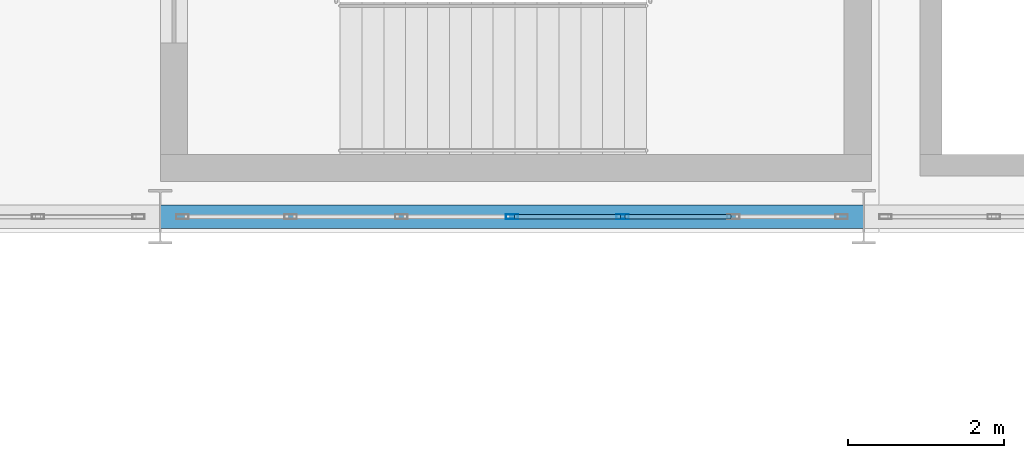
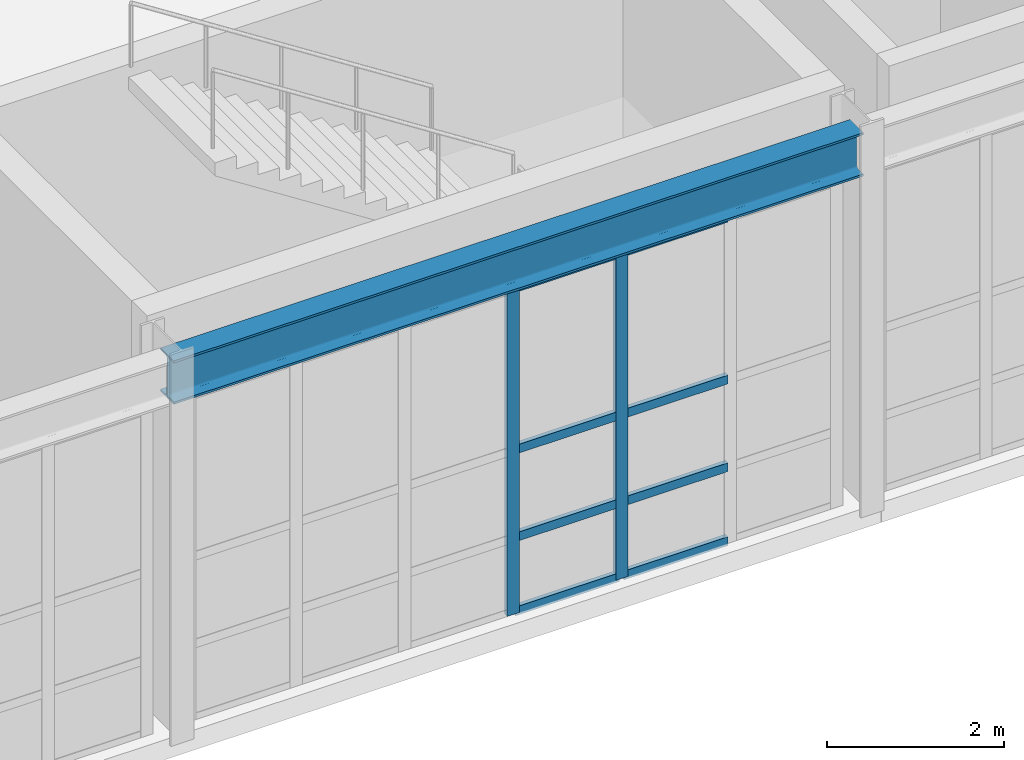
# One storey, part 56 of 210: 10 members, 1 beam, 1 element without a shape of its own.
"""IFC4 building model written with IfcOpenShell, lengths in metres."""

import ifcopenshell
import ifcopenshell.guid

model = None  # the IFC model being written
_history = None  # IfcOwnerHistory: only IFC2X3 demands one
_inside = {}  # id of a spatial element -> (the spatial element, [elements in it])
_under = {}  # id of a project, library or spatial element -> (it, [spatial elements below it])
_declared = {}  # id of a project -> (the project, [libraries it declares])
_typed = {}  # id of a type object -> (the type object, [elements of that type])
_made_of = {}  # id of a material, layer set ... -> (it, [elements and type objects made of it])


def new_model(schema):
    """Start an empty IFC model of exactly this schema.

    Asked for "IFC4X3", IfcOpenShell would pick the latest addendum, in which some entities
    have other attributes; the version numbers below select the first issue.
    IFC2X3 requires an IfcOwnerHistory on every rooted entity: one is made here for all.
    """
    global model, _history
    if schema == "IFC4X3":
        model = ifcopenshell.file(schema_version=(4, 3, 0, 0))
    else:
        model = ifcopenshell.file(schema=schema)
    _inside.clear()
    _under.clear()
    _declared.clear()
    _typed.clear()
    _made_of.clear()
    _history = None
    if model.schema == "IFC2X3":
        org = make("IfcOrganization", Name="unknown")
        user = make(
            "IfcPersonAndOrganization",
            ThePerson=make("IfcPerson", FamilyName="unknown"),
            TheOrganization=org,
        )
        app = make(
            "IfcApplication",
            ApplicationDeveloper=org,
            Version="unknown",
            ApplicationFullName="unknown",
            ApplicationIdentifier="unknown",
        )
        _history = make(
            "IfcOwnerHistory",
            OwningUser=user,
            OwningApplication=app,
            ChangeAction="ADDED",
            CreationDate=0,
        )
    return model


def make(cls, **values):
    """One entity of the class cls with the attributes given. An attribute that is None is left unset."""
    return model.create_entity(
        cls, **{name: value for name, value in values.items() if value is not None}
    )


def rooted(cls, **values):
    """An entity with a GlobalId (a new one), such as an element, a storey or a relation."""
    return make(cls, GlobalId=ifcopenshell.guid.new(), OwnerHistory=_history, **values)


def si_unit(unit_type, name, prefix=None):
    """IfcSIUnit, for example si_unit("LENGTHUNIT", "METRE", prefix="MILLI")."""
    return make("IfcSIUnit", UnitType=unit_type, Prefix=prefix, Name=name)


def assignment(units):
    """IfcUnitAssignment: the units of a project."""
    return None if units is None else make("IfcUnitAssignment", Units=units)


def point(xyz):
    """IfcCartesianPoint."""
    return None if xyz is None else make("IfcCartesianPoint", Coordinates=xyz)


def direction(xyz):
    """IfcDirection."""
    return None if xyz is None else make("IfcDirection", DirectionRatios=xyz)


def frame(location, z_axis=None, x_axis=None):
    """IfcAxis2Placement3D, a coordinate frame: its origin and axes. An axis left out is left unset."""
    return make(
        "IfcAxis2Placement3D",
        Location=point(location),
        Axis=direction(z_axis),
        RefDirection=direction(x_axis),
    )


def frame_2d(location, x_axis=None):
    """IfcAxis2Placement2D, a coordinate frame in the plane: its origin and x axis."""
    return make(
        "IfcAxis2Placement2D", Location=point(location), RefDirection=direction(x_axis)
    )


def origin():
    """The frame at (0, 0, 0) with its axes left unset."""
    return frame((0.0, 0.0, 0.0))


def origin_2d():
    """The frame at (0, 0) in the plane with its x axis left unset."""
    return frame_2d((0.0, 0.0))


def place(relative_to, where):
    """IfcLocalPlacement: puts the frame where relative to a parent placement (None: the world)."""
    return make(
        "IfcLocalPlacement", PlacementRelTo=relative_to, RelativePlacement=where
    )


def context(
    kind, dimensions, precision=None, world=None, true_north=None, identifier=None
):
    """IfcGeometricRepresentationContext, for example the 3D "Model" context."""
    return make(
        "IfcGeometricRepresentationContext",
        ContextIdentifier=identifier,
        ContextType=kind,
        CoordinateSpaceDimension=dimensions,
        Precision=precision,
        WorldCoordinateSystem=world,
        TrueNorth=true_north,
    )


def subcontext(parent, identifier, kind, view, scale=None):
    """IfcGeometricRepresentationSubContext, for example "Body" below "Model"."""
    return make(
        "IfcGeometricRepresentationSubContext",
        ContextIdentifier=identifier,
        ContextType=kind,
        ParentContext=parent,
        TargetScale=scale,
        TargetView=view,
    )


def project(units=None, contexts=None):
    """IfcProject with its units and contexts."""
    return rooted(
        "IfcProject",
        Name="project",
        RepresentationContexts=contexts,
        UnitsInContext=assignment(units),
    )


def spatial(cls, under=None, at=None, **own):
    """A site, building, storey or space (cls), placed at a placement, below another one or the project."""
    s = rooted(cls, ObjectPlacement=at, **own)
    if under is not None:
        _under.setdefault(under.id(), (under, []))[1].append(s)
    return s


def profile(cls, at=None, kind="AREA", **sizes):
    """A parametric profile (cls). Its sizes go by their IFC names, for example OverallWidth=200.0."""
    return make(cls, ProfileType=kind, Position=at, **sizes)


def hollow_rectangle(**sizes):
    """IfcRectangleHollowProfileDef."""
    return profile("IfcRectangleHollowProfileDef", **sizes)


def i_section(**sizes):
    """IfcIShapeProfileDef."""
    return profile("IfcIShapeProfileDef", **sizes)


def extrude(swept, where, along, depth):
    """IfcExtrudedAreaSolid: the profile swept, set in the frame where, extruded along a direction by depth."""
    return make(
        "IfcExtrudedAreaSolid",
        SweptArea=swept,
        Position=where,
        ExtrudedDirection=direction(along),
        Depth=depth,
    )


def shape(context_of_items, identifier, shape_type, items):
    """IfcShapeRepresentation: the items that make up one representation, for example the "Body"."""
    return make(
        "IfcShapeRepresentation",
        ContextOfItems=context_of_items,
        RepresentationIdentifier=identifier,
        RepresentationType=shape_type,
        Items=items,
    )


def material(Name=None, Category=None):
    """IfcMaterial."""
    return make("IfcMaterial", Name=Name, Category=Category)


def material_profile(
    of_material, cross_section, Name=None, Category=None, Priority=None
):
    """IfcMaterialProfile: a cross section and its material."""
    return make(
        "IfcMaterialProfile",
        Name=Name,
        Material=of_material,
        Profile=cross_section,
        Priority=Priority,
        Category=Category,
    )


def profile_set(profiles, Name=None, composite=None):
    """IfcMaterialProfileSet."""
    return make(
        "IfcMaterialProfileSet",
        Name=Name,
        MaterialProfiles=profiles,
        CompositeProfile=composite,
    )


def made_of(thing, what):
    """Note that an element or type object is made of a material, layer set ...; save() writes the relation."""
    if what is not None:
        _made_of.setdefault(what.id(), (what, []))[1].append(thing)
    return thing


def type_object(cls, material=None, **own):
    """A type object (cls), such as IfcWallType, which elements share."""
    return made_of(rooted(cls, **own), material)


def element(
    cls,
    number,
    at=None,
    inside=None,
    cuts=None,
    type_object=None,
    material=None,
    context=None,
    identifier="Body",
    shape_type=None,
    held_by="IfcProductDefinitionShape",
    body=None,
    shapes=None,
    **own,
):
    """One element of the class cls, such as IfcWall. Its Tag is "e" and its number.

    at: its placement. inside: the storey or other place that contains it. cuts: it is an
    opening in that element (IfcRelVoidsElement). A single representation is given by context,
    identifier, shape_type and body (its items); several are given by shapes. held_by: the class
    of the entity that holds the representations. save() writes the other relations.
    """
    e = rooted(cls, Tag="e%d" % number, ObjectPlacement=at, **own)
    if body is not None:
        shapes = [shape(context, identifier, shape_type, body)]
    if shapes is not None:
        e.Representation = make(held_by, Representations=shapes)
    if inside is not None:
        _inside.setdefault(inside.id(), (inside, []))[1].append(e)
    if cuts is not None:
        rooted(
            "IfcRelVoidsElement", RelatingBuildingElement=cuts, RelatedOpeningElement=e
        )
    if type_object is not None:
        _typed.setdefault(type_object.id(), (type_object, []))[1].append(e)
    return made_of(e, material)


def aggregate(whole, parts):
    """IfcRelAggregates: a whole, such as a stair, and the parts it consists of."""
    return rooted("IfcRelAggregates", RelatingObject=whole, RelatedObjects=parts)


def save(model, path):
    """Write the relations noted so far, then the file.

    IfcRelAggregates (storeys below a building ...), IfcRelContainedInSpatialStructure (elements
    in a storey), IfcRelDefinesByType, IfcRelAssociatesMaterial and IfcRelDeclares: one each for
    every whole, place, type object, material and project.
    """
    for whole, parts in _under.values():
        aggregate(whole, parts)
    for where, things in _inside.values():
        rooted(
            "IfcRelContainedInSpatialStructure",
            RelatedElements=things,
            RelatingStructure=where,
        )
    for kind, things in _typed.values():
        rooted("IfcRelDefinesByType", RelatedObjects=things, RelatingType=kind)
    for what, things in _made_of.values():
        rooted("IfcRelAssociatesMaterial", RelatedObjects=things, RelatingMaterial=what)
    for by, libraries in _declared.values():
        rooted("IfcRelDeclares", RelatingContext=by, RelatedDefinitions=libraries)
    model.write(path)


model = new_model("IFC4")

# Units and contexts
model_context = context("Model", 3, precision=1e-05, world=origin(), true_north=direction((0.0, 1.0)))
body_context = subcontext(model_context, "Body", "Model", "MODEL_VIEW")
ifc_project = project(units=[si_unit("LENGTHUNIT", "METRE"), si_unit("AREAUNIT", "SQUARE_METRE"), si_unit("VOLUMEUNIT", "CUBIC_METRE"), si_unit("PLANEANGLEUNIT", "RADIAN"), si_unit("MASSUNIT", "GRAM", prefix="KILO")], contexts=[model_context])

# Site, building, storey
site_placement = place(None, origin())
site = spatial("IfcSite", under=ifc_project, at=site_placement, CompositionType="ELEMENT")
building_placement = place(site_placement, origin())
building = spatial("IfcBuilding", under=site, at=building_placement, Name="Kaldris Quays Convention Centre", CompositionType="ELEMENT")
storey_placement = place(building_placement, frame((0.0, 0.0, 6.0)))
storey = spatial("IfcBuildingStorey", under=building, at=storey_placement, Name="L01", CompositionType="ELEMENT", Elevation=6.0)

# Curtain wall, members
ifc_material_1 = material(Name="Anodized aluminium AW-6060 and triple glazing", Category="aluminium")
curtain_wall_type = type_object("IfcCurtainWallType", Name="UNITISED CURTAIN WALL CW04", PredefinedType="NOTDEFINED", material=ifc_material_1)
curtain_wall_placement = place(storey_placement, origin())
curtain_wall = element("IfcCurtainWall", 1, at=curtain_wall_placement, inside=storey, type_object=curtain_wall_type, Name="L01 Unitised Curtain Wall CW04 108", PredefinedType="NOTDEFINED")
ifc_material_2 = material(Name="Anodized aluminium AW-6060", Category="aluminium")
ifc_material_profile_1 = material_profile(ifc_material_2, hollow_rectangle(XDim=0.06005859375, YDim=0.159912109375, WallThickness=0.00390625, at=origin_2d()), Name="RHS 160x60x4")
ifc_profile_set_1 = profile_set([ifc_material_profile_1], Name="Anodized aluminium AW-6060")
member_type_1 = type_object("IfcMemberType", Name="CURTAIN MULLION CWM1", PredefinedType="MULLION", material=ifc_profile_set_1)
member_1_placement = place(storey_placement, frame((96.5, 38.0, 0.0), z_axis=(0.0, 0.0, 1.0), x_axis=(0.0, 1.0, 0.0)))
member_1 = element("IfcMember", 2, at=member_1_placement, type_object=member_type_1, Name="CW04 mullion 4", PredefinedType="MULLION", context=body_context, shape_type="SweptSolid", body=[
    extrude(hollow_rectangle(XDim=0.06005859375, YDim=0.159912109375, WallThickness=0.00390625, at=origin_2d()), origin(), (0.0, 0.0, 1.0), 4.51806640625),
])
member_2_placement = place(storey_placement, frame((97.916748046875, 38.0, 0.0), z_axis=(0.0, 0.0, 1.0), x_axis=(0.0, 1.0, 0.0)))
member_2 = element("IfcMember", 3, at=member_2_placement, type_object=member_type_1, Name="CW04 mullion 5", PredefinedType="MULLION", context=body_context, shape_type="SweptSolid", body=[
    extrude(hollow_rectangle(XDim=0.06005859375, YDim=0.159912109375, WallThickness=0.00390625, at=origin_2d()), origin(), (0.0, 0.0, 1.0), 4.51806640625),
])
ifc_material_profile_2 = material_profile(ifc_material_2, hollow_rectangle(XDim=0.06005859375, YDim=0.1201171875, WallThickness=0.00390625, at=origin_2d()), Name="RHS 120x60x4")
ifc_profile_set_2 = profile_set([ifc_material_profile_2], Name="Anodized aluminium AW-6060")
member_type_2 = type_object("IfcMemberType", Name="CURTAIN TRANSOM CWT1", PredefinedType="USERDEFINED", material=ifc_profile_set_2)
member_3_placement = place(storey_placement, frame((96.530029296875, 38.0, 0.030029296875), z_axis=(1.0, 0.0, 0.0), x_axis=(0.0, 1.0, 0.0)))
member_3 = element("IfcMember", 4, at=member_3_placement, type_object=member_type_2, Name="CW04 transom 4.1", ObjectType="TRANSOM", PredefinedType="USERDEFINED", context=body_context, shape_type="SweptSolid", body=[
    extrude(hollow_rectangle(XDim=0.06005859375, YDim=0.1201171875, WallThickness=0.00390625, at=origin_2d()), origin(), (0.0, 0.0, 1.0), 1.356689453125),
])
member_4_placement = place(storey_placement, frame((96.530029296875, 38.0, 1.050048828125), z_axis=(1.0, 0.0, 0.0), x_axis=(0.0, 1.0, 0.0)))
member_4 = element("IfcMember", 5, at=member_4_placement, type_object=member_type_2, Name="CW04 transom 4.2", ObjectType="TRANSOM", PredefinedType="USERDEFINED", context=body_context, shape_type="SweptSolid", body=[
    extrude(hollow_rectangle(XDim=0.06005859375, YDim=0.1201171875, WallThickness=0.00390625, at=origin_2d()), origin(), (0.0, 0.0, 1.0), 1.356689453125),
])
member_5_placement = place(storey_placement, frame((96.530029296875, 38.0, 2.259033203125), z_axis=(1.0, 0.0, 0.0), x_axis=(0.0, 1.0, 0.0)))
member_5 = element("IfcMember", 6, at=member_5_placement, type_object=member_type_2, Name="CW04 transom 4.3", ObjectType="TRANSOM", PredefinedType="USERDEFINED", context=body_context, shape_type="SweptSolid", body=[
    extrude(hollow_rectangle(XDim=0.06005859375, YDim=0.1201171875, WallThickness=0.00390625, at=origin_2d()), origin(), (0.0, 0.0, 1.0), 1.356689453125),
])
member_6_placement = place(storey_placement, frame((96.530029296875, 38.0, 4.488037109375), z_axis=(1.0, 0.0, 0.0), x_axis=(0.0, 1.0, 0.0)))
member_6 = element("IfcMember", 7, at=member_6_placement, type_object=member_type_2, Name="CW04 transom 4.4", ObjectType="TRANSOM", PredefinedType="USERDEFINED", context=body_context, shape_type="SweptSolid", body=[
    extrude(hollow_rectangle(XDim=0.06005859375, YDim=0.1201171875, WallThickness=0.00390625, at=origin_2d()), origin(), (0.0, 0.0, 1.0), 1.356689453125),
])
member_7_placement = place(storey_placement, frame((97.94677734375, 38.0, 0.030029296875), z_axis=(1.0, 0.0, 0.0), x_axis=(0.0, 1.0, 0.0)))
member_7 = element("IfcMember", 8, at=member_7_placement, type_object=member_type_2, Name="CW04 transom 5.1", ObjectType="TRANSOM", PredefinedType="USERDEFINED", context=body_context, shape_type="SweptSolid", body=[
    extrude(hollow_rectangle(XDim=0.06005859375, YDim=0.1201171875, WallThickness=0.00390625, at=origin_2d()), origin(), (0.0, 0.0, 1.0), 1.3564453125),
])
member_8_placement = place(storey_placement, frame((97.94677734375, 38.0, 1.050048828125), z_axis=(1.0, 0.0, 0.0), x_axis=(0.0, 1.0, 0.0)))
member_8 = element("IfcMember", 9, at=member_8_placement, type_object=member_type_2, Name="CW04 transom 5.2", ObjectType="TRANSOM", PredefinedType="USERDEFINED", context=body_context, shape_type="SweptSolid", body=[
    extrude(hollow_rectangle(XDim=0.06005859375, YDim=0.1201171875, WallThickness=0.00390625, at=origin_2d()), origin(), (0.0, 0.0, 1.0), 1.3564453125),
])
member_9_placement = place(storey_placement, frame((97.94677734375, 38.0, 2.259033203125), z_axis=(1.0, 0.0, 0.0), x_axis=(0.0, 1.0, 0.0)))
member_9 = element("IfcMember", 10, at=member_9_placement, type_object=member_type_2, Name="CW04 transom 5.3", ObjectType="TRANSOM", PredefinedType="USERDEFINED", context=body_context, shape_type="SweptSolid", body=[
    extrude(hollow_rectangle(XDim=0.06005859375, YDim=0.1201171875, WallThickness=0.00390625, at=origin_2d()), origin(), (0.0, 0.0, 1.0), 1.3564453125),
])
member_10_placement = place(storey_placement, frame((97.94677734375, 38.0, 4.488037109375), z_axis=(1.0, 0.0, 0.0), x_axis=(0.0, 1.0, 0.0)))
member_10 = element("IfcMember", 11, at=member_10_placement, type_object=member_type_2, Name="CW04 transom 5.4", ObjectType="TRANSOM", PredefinedType="USERDEFINED", context=body_context, shape_type="SweptSolid", body=[
    extrude(hollow_rectangle(XDim=0.06005859375, YDim=0.1201171875, WallThickness=0.00390625, at=origin_2d()), origin(), (0.0, 0.0, 1.0), 1.3564453125),
])
aggregate(curtain_wall, [member_1, member_2, member_3, member_4, member_5, member_6, member_7, member_8, member_9, member_10])

# Beam
ifc_material_3 = material(Name="Steel S355J2", Category="steel")
ifc_material_profile_3 = material_profile(ifc_material_3, i_section(OverallWidth=0.300048828125, OverallDepth=0.60009765625, WebThickness=0.015380859375, FlangeThickness=0.030029296875, FilletRadius=0.027099609375, at=origin_2d()), Name="HEB 600")
ifc_profile_set_3 = profile_set([ifc_material_profile_3], Name="Steel S355J2")
beam_type = type_object("IfcBeamType", Name="STRUCTURAL BEAM BM05", PredefinedType="BEAM", material=ifc_profile_set_3)
beam_placement = place(storey_placement, frame((92.00244140625, 38.0, 4.843017578125), z_axis=(1.0, 0.0, 0.0), x_axis=(0.0, 1.0, 0.0)))
element("IfcBeam", 12, at=beam_placement, inside=storey, type_object=beam_type, Name="L01 Girder BM05 2", PredefinedType="BEAM", context=body_context, shape_type="SweptSolid", body=[
    extrude(i_section(OverallWidth=0.300048828125, OverallDepth=0.60009765625, WebThickness=0.015380859375, FlangeThickness=0.030029296875, FilletRadius=0.027099609375, at=origin_2d()), origin(), (0.0, 0.0, 1.0), 8.9951171875),
])

save(model, "model.ifc")
